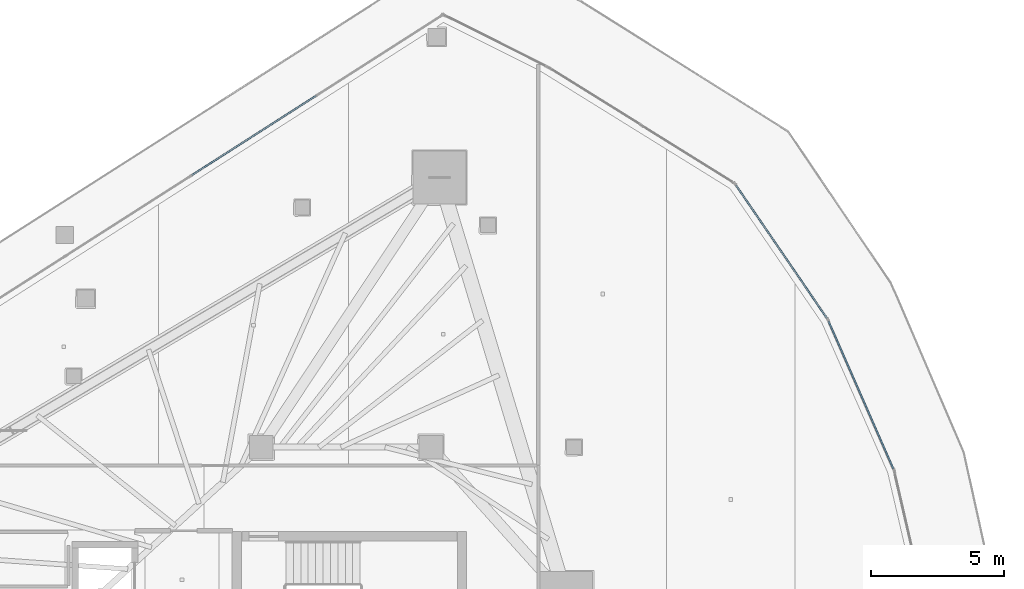
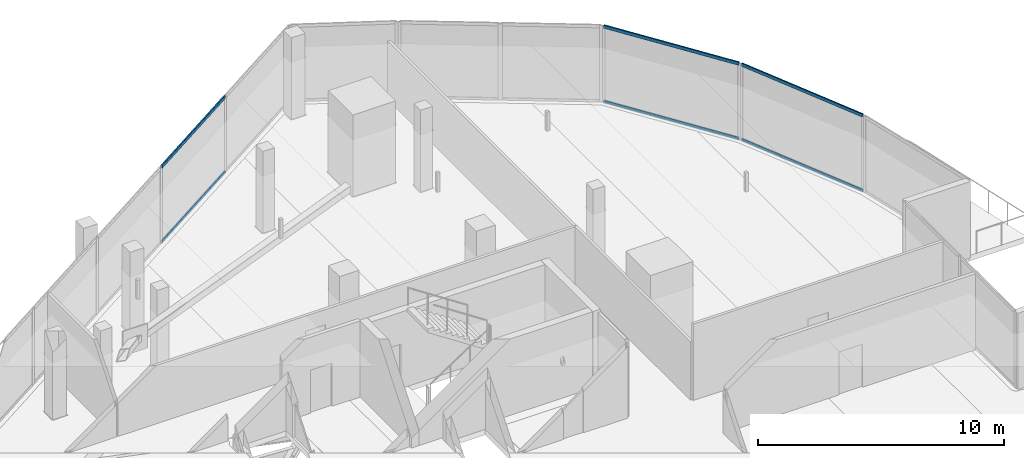
# One storey, part 21 of 39: 6 members, 3 elements without a shape of their own.
"""IFC4 building model written with IfcOpenShell, lengths in metres."""

from ifc_helpers import new_model, si_unit, direction, frame, origin, origin_2d, place, context, subcontext, project, spatial, hollow_rectangle, extrude, material, layer, layer_set, material_profile, profile_set, type_object, element, aggregate, save


model = new_model("IFC4")

# Units and contexts
model_context = context("Model", 3, precision=1e-05, world=origin(), true_north=direction((0.0, 1.0)))
body_context = subcontext(model_context, "Body", "Model", "MODEL_VIEW")
ifc_project = project(units=[si_unit("LENGTHUNIT", "METRE"), si_unit("AREAUNIT", "SQUARE_METRE"), si_unit("VOLUMEUNIT", "CUBIC_METRE"), si_unit("PLANEANGLEUNIT", "RADIAN"), si_unit("MASSUNIT", "GRAM", prefix="KILO")], contexts=[model_context])

# Site, building, storey
site_placement = place(None, origin())
site = spatial("IfcSite", under=ifc_project, at=site_placement, CompositionType="ELEMENT")
building_placement = place(site_placement, origin())
building = spatial("IfcBuilding", under=site, at=building_placement, Name="Qorvath Tower", CompositionType="ELEMENT")
storey_placement = place(building_placement, frame((0.0, 0.0, 201.0)))
storey = spatial("IfcBuildingStorey", under=building, at=storey_placement, Name="L46", CompositionType="ELEMENT", Elevation=201.0)

# Curtain wall, members
ifc_material_1 = material(Name="Anodised aluminium and triple low-E glass", Category="aluminium")
ifc_layer = layer(ifc_material_1, 0.179931640625)
ifc_layer_set = layer_set([ifc_layer], Name="CW-SYS-3")
curtain_wall_type = type_object("IfcCurtainWallType", Name="CW-SYS-3", PredefinedType="NOTDEFINED", material=ifc_layer_set)
curtain_wall_1_placement = place(storey_placement, origin())
curtain_wall_1 = element("IfcCurtainWall", 1, at=curtain_wall_1_placement, inside=storey, type_object=curtain_wall_type, Name="Curtain Wall CW-3 CW-T-L46-12.1", PredefinedType="NOTDEFINED")
ifc_material_2 = material(Name="Anodised aluminium 6063-T6", Category="aluminium")
ifc_material_profile = material_profile(ifc_material_2, hollow_rectangle(XDim=0.06494140625, YDim=0.159912109375, WallThickness=0.00341796875, InnerFilletRadius=0.00341796875, OuterFilletRadius=0.007080078125, at=origin_2d()), Name="CWT 160x65")
ifc_profile_set = profile_set([ifc_material_profile], Name="Anodised aluminium 6063-T6")
member_type = type_object("IfcMemberType", Name="CWT-160", PredefinedType="USERDEFINED", material=ifc_profile_set)
member_1_placement = place(storey_placement, frame((0.251708984375, 10.63330078125, 0.032470703125), z_axis=(-0.402337899002, 0.915491242463, 0.0), x_axis=(-0.915491242463, -0.402337899002, 0.0)))
member_1 = element("IfcMember", 2, at=member_1_placement, type_object=member_type, Name="CW-3 transom 1.1", ObjectType="TRANSOM", PredefinedType="USERDEFINED", context=body_context, shape_type="SweptSolid", body=[
    extrude(hollow_rectangle(XDim=0.06494140625, YDim=0.159912109375, WallThickness=0.00341796875, InnerFilletRadius=0.00341796875, OuterFilletRadius=0.007080078125, at=origin_2d()), origin(), (0.0, 0.0, 1.0), 6.0849609375),
])
member_2_placement = place(storey_placement, frame((0.251708984375, 10.63330078125, 3.74755859375), z_axis=(-0.402337899002, 0.915491242463, 0.0), x_axis=(-0.915491242463, -0.402337899002, 0.0)))
member_2 = element("IfcMember", 3, at=member_2_placement, type_object=member_type, Name="CW-3 transom 1.2", ObjectType="TRANSOM", PredefinedType="USERDEFINED", context=body_context, shape_type="SweptSolid", body=[
    extrude(hollow_rectangle(XDim=0.06494140625, YDim=0.159912109375, WallThickness=0.00341796875, InnerFilletRadius=0.00341796875, OuterFilletRadius=0.007080078125, at=origin_2d()), origin(), (0.0, 0.0, 1.0), 6.0849609375),
])
aggregate(curtain_wall_1, [member_1, member_2])

curtain_wall_2_placement = place(storey_placement, origin())
curtain_wall_2 = element("IfcCurtainWall", 4, at=curtain_wall_2_placement, inside=storey, type_object=curtain_wall_type, Name="Curtain Wall CW-3 CW-T-L46-13.1", PredefinedType="NOTDEFINED")
member_3_placement = place(storey_placement, frame((-2.25927734375, 16.3173828125, 0.032470703125), z_axis=(-0.564540077657, 0.825405658279, 0.0), x_axis=(-0.825405658279, -0.564540077657, 0.0)))
member_3 = element("IfcMember", 5, at=member_3_placement, type_object=member_type, Name="CW-3 transom 1.1", ObjectType="TRANSOM", PredefinedType="USERDEFINED", context=body_context, shape_type="SweptSolid", body=[
    extrude(hollow_rectangle(XDim=0.06494140625, YDim=0.159912109375, WallThickness=0.00341796875, InnerFilletRadius=0.00341796875, OuterFilletRadius=0.007080078125, at=origin_2d()), origin(), (0.0, 0.0, 1.0), 6.085205078125),
])
member_4_placement = place(storey_placement, frame((-2.25927734375, 16.3173828125, 3.74755859375), z_axis=(-0.564540077657, 0.825405658279, 0.0), x_axis=(-0.825405658279, -0.564540077657, 0.0)))
member_4 = element("IfcMember", 6, at=member_4_placement, type_object=member_type, Name="CW-3 transom 1.2", ObjectType="TRANSOM", PredefinedType="USERDEFINED", context=body_context, shape_type="SweptSolid", body=[
    extrude(hollow_rectangle(XDim=0.06494140625, YDim=0.159912109375, WallThickness=0.00341796875, InnerFilletRadius=0.00341796875, OuterFilletRadius=0.007080078125, at=origin_2d()), origin(), (0.0, 0.0, 1.0), 6.085205078125),
])
aggregate(curtain_wall_2, [member_3, member_4])

curtain_wall_3_placement = place(storey_placement, origin())
curtain_wall_3 = element("IfcCurtainWall", 7, at=curtain_wall_3_placement, inside=storey, type_object=curtain_wall_type, Name="Curtain Wall CW-3 CW-T-L46-16.1", PredefinedType="NOTDEFINED")
member_5_placement = place(storey_placement, frame((-21.522705078125, 24.716064453125, 0.032470703125), z_axis=(-0.842606844645, -0.538529205667, 0.0), x_axis=(0.538529205667, -0.842606844645, 0.0)))
member_5 = element("IfcMember", 8, at=member_5_placement, type_object=member_type, Name="CW-3 transom 2.1", ObjectType="TRANSOM", PredefinedType="USERDEFINED", context=body_context, shape_type="SweptSolid", body=[
    extrude(hollow_rectangle(XDim=0.06494140625, YDim=0.159912109375, WallThickness=0.00341796875, InnerFilletRadius=0.00341796875, OuterFilletRadius=0.007080078125, at=origin_2d()), origin(), (0.0, 0.0, 1.0), 5.5751953125),
])
member_6_placement = place(storey_placement, frame((-21.522705078125, 24.716064453125, 3.74755859375), z_axis=(-0.842606844645, -0.538529205667, 0.0), x_axis=(0.538529205667, -0.842606844645, 0.0)))
member_6 = element("IfcMember", 9, at=member_6_placement, type_object=member_type, Name="CW-3 transom 2.2", ObjectType="TRANSOM", PredefinedType="USERDEFINED", context=body_context, shape_type="SweptSolid", body=[
    extrude(hollow_rectangle(XDim=0.06494140625, YDim=0.159912109375, WallThickness=0.00341796875, InnerFilletRadius=0.00341796875, OuterFilletRadius=0.007080078125, at=origin_2d()), origin(), (0.0, 0.0, 1.0), 5.5751953125),
])
aggregate(curtain_wall_3, [member_5, member_6])

save(model, "model.ifc")
